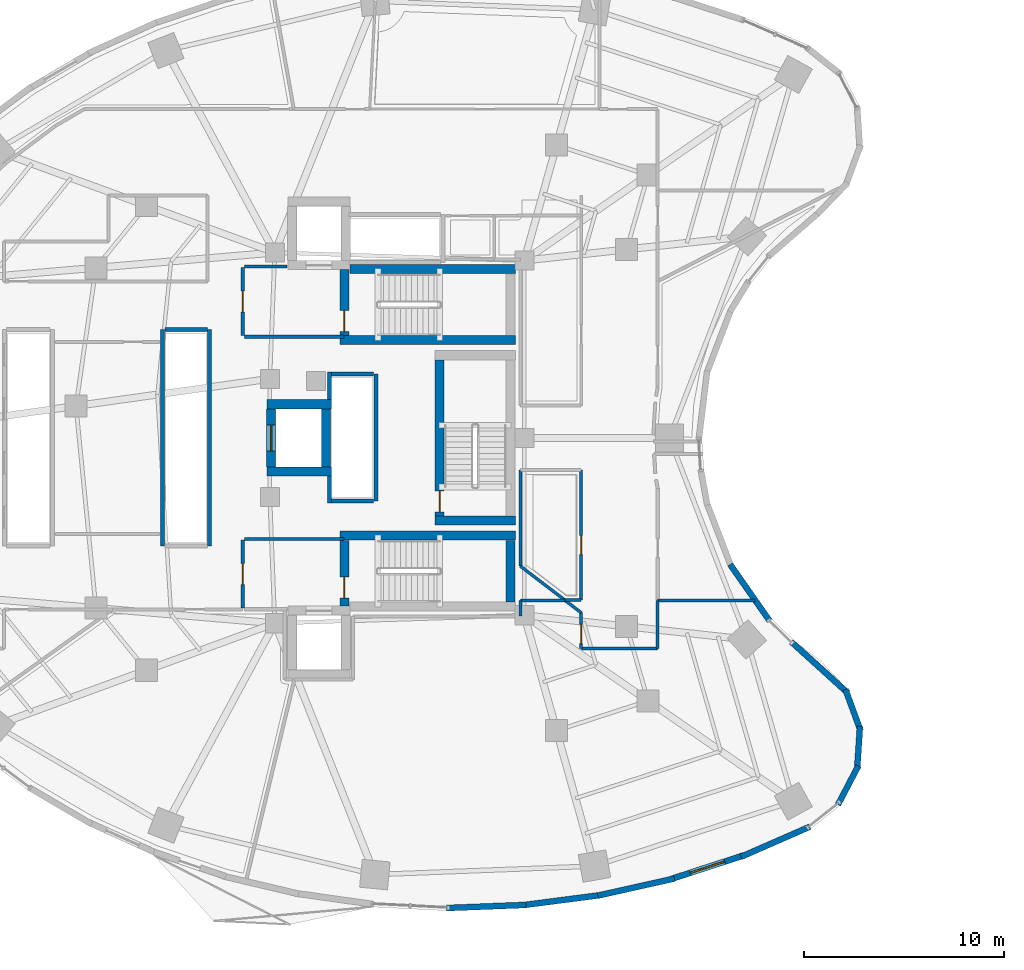
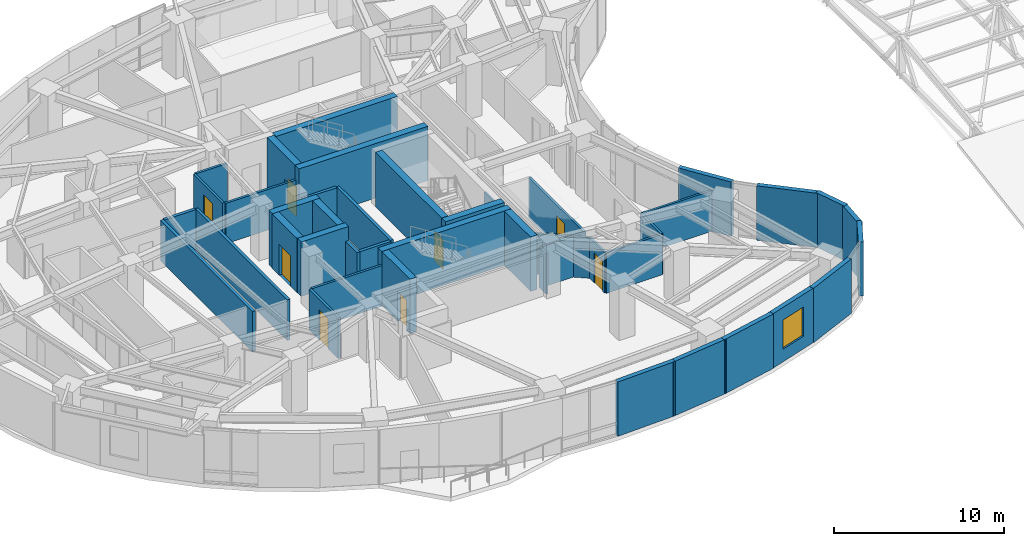
# One storey, part 12 of 17: 46 walls, 8 doors, 1 window, 9 openings.
"""IFC4 building model written with IfcOpenShell, lengths in metres."""

from ifc_helpers import new_model, si_unit, direction, frame, frame_2d, origin, place, context, subcontext, project, spatial, rectangle, extrude, material, layer, layer_set, type_object, element, fill, save


model = new_model("IFC4")

# Units and contexts
model_context = context("Model", 3, precision=1e-05, world=origin(), true_north=direction((0.0, 1.0)))
body_context = subcontext(model_context, "Body", "Model", "MODEL_VIEW")
ifc_project = project(units=[si_unit("LENGTHUNIT", "METRE"), si_unit("AREAUNIT", "SQUARE_METRE"), si_unit("VOLUMEUNIT", "CUBIC_METRE"), si_unit("PLANEANGLEUNIT", "RADIAN"), si_unit("MASSUNIT", "GRAM", prefix="KILO")], contexts=[model_context])

# Site, building, storey
site_placement = place(None, origin())
site = spatial("IfcSite", under=ifc_project, at=site_placement, CompositionType="ELEMENT")
building_placement = place(site_placement, origin())
building = spatial("IfcBuilding", under=site, at=building_placement, Name="Korentha Bioscience Tower", CompositionType="ELEMENT")
storey_placement = place(building_placement, frame((0.0, 0.0, 25.800048828125)))
storey = spatial("IfcBuildingStorey", under=building, at=storey_placement, Name="L05", CompositionType="ELEMENT", Elevation=25.800048828125)

# Wall, opening, door
ifc_material_1 = material(Name="Double-Stud Acoustic Gypsum", Category="gypsum")
ifc_layer_1 = layer(ifc_material_1, 0.14990234375, Name="Double-Stud Acoustic Gypsum")
ifc_layer_set_1 = layer_set([ifc_layer_1], Name="Double-Stud Acoustic Gypsum (IW-L150)")
wall_type_1 = type_object("IfcWallType", Name="Acoustic Laboratory Partition Wall 150", PredefinedType="PARTITIONING", material=ifc_layer_set_1)
wall_1_placement = place(storey_placement, frame((40.389892578125, 18.278076171875, 0.0), z_axis=(0.0, 0.0, 1.0), x_axis=(0.0, -1.0, 0.0)))
wall_1 = element("IfcWall", 1, at=wall_1_placement, inside=storey, type_object=wall_type_1, Name="L05 Ethics and Biosafety Briefing Room 05 Entrance Wall", PredefinedType="PARTITIONING", context=body_context, shape_type="SweptSolid", body=[
    extrude(rectangle(XDim=1.778076171875, YDim=0.14990234375, at=frame_2d((0.88916015625, 0.0))), origin(), (0.0, 0.0, 1.0), 2.909912109375),
])
opening_1_placement = place(wall_1_placement, frame((0.587890625, 0.0, 0.0)))
opening_1 = element("IfcOpeningElement", 2, at=opening_1_placement, cuts=wall_1, Name="Opening ID-10L", PredefinedType="OPENING", context=body_context, shape_type="SweptSolid", body=[
    extrude(rectangle(XDim=0.949951171875, YDim=2.14990234375, at=frame_2d((0.47509765625, 1.074951171875))), frame((0.0, 0.08984375, 0.0), z_axis=(0.0, -1.0, 0.0), x_axis=(1.0, 0.0, 0.0)), (0.0, 0.0, 1.0), 0.1796875),
])
ifc_material_2 = material(Name="Phenolic Laminate Timber Core", Category="wood")
door_type_1 = type_object("IfcDoorType", Name="Laboratory Single Leaf Door 950x2150 Left", OperationType="SINGLE_SWING_LEFT", PredefinedType="DOOR", material=ifc_material_2)
door_1_placement = place(opening_1_placement, origin())
door_1 = element("IfcDoor", 3, at=door_1_placement, inside=storey, type_object=door_type_1, Name="L05 Ethics and Biosafety Briefing Room 05 Door", OperationType="SINGLE_SWING_LEFT", OverallHeight=2.14990234375, OverallWidth=0.949951171875, PredefinedType="DOOR", context=body_context, shape_type="SweptSolid", body=[
    extrude(rectangle(XDim=0.949951171875, YDim=2.14990234375, at=frame_2d((0.47509765625, 1.074951171875))), frame((0.0, 0.02490234375, 0.0), z_axis=(0.0, -1.0, 0.0), x_axis=(1.0, 0.0, 0.0)), (0.0, 0.0, 1.0), 0.050048828125),
])
fill(opening_1, door_1)

wall_2_placement = place(storey_placement, frame((40.389892578125, 25.389892578125, 0.0), z_axis=(0.0, 0.0, 1.0), x_axis=(0.0, -1.0, 0.0)))
wall_2 = element("IfcWall", 4, at=wall_2_placement, inside=storey, type_object=wall_type_1, Name="L05 Terrace View Refreshment Lounge 06 Entrance Wall", PredefinedType="PARTITIONING", context=body_context, shape_type="SweptSolid", body=[
    extrude(rectangle(XDim=6.48779296875, YDim=0.14990234375, at=frame_2d((3.243896484375, 0.0))), origin(), (0.0, 0.0, 1.0), 2.909912109375),
])
opening_2_placement = place(wall_2_placement, frame((3.265380859375, 0.0, 0.0)))
opening_2 = element("IfcOpeningElement", 5, at=opening_2_placement, cuts=wall_2, Name="Opening ID-10R", PredefinedType="OPENING", context=body_context, shape_type="SweptSolid", body=[
    extrude(rectangle(XDim=0.949951171875, YDim=2.14990234375, at=frame_2d((0.47509765625, 1.074951171875))), frame((0.0, 0.08984375, 0.0), z_axis=(0.0, -1.0, 0.0), x_axis=(1.0, 0.0, 0.0)), (0.0, 0.0, 1.0), 0.1796875),
])
door_type_2 = type_object("IfcDoorType", Name="Laboratory Single Leaf Door 950x2150 Right", OperationType="SINGLE_SWING_RIGHT", PredefinedType="DOOR", material=ifc_material_2)
door_2_placement = place(opening_2_placement, origin())
door_2 = element("IfcDoor", 6, at=door_2_placement, inside=storey, type_object=door_type_2, Name="L05 Terrace View Refreshment Lounge 06 Door", OperationType="SINGLE_SWING_RIGHT", OverallHeight=2.14990234375, OverallWidth=0.949951171875, PredefinedType="DOOR", context=body_context, shape_type="SweptSolid", body=[
    extrude(rectangle(XDim=0.949951171875, YDim=2.14990234375, at=frame_2d((0.47509765625, 1.074951171875))), frame((0.0, 0.02490234375, 0.0), z_axis=(0.0, -1.0, 0.0), x_axis=(1.0, 0.0, 0.0)), (0.0, 0.0, 1.0), 0.050048828125),
])
fill(opening_2, door_2)

# Walls
wall_3_placement = place(storey_placement, frame((37.360107421875, 18.10009765625, 0.0), z_axis=(0.0, 0.0, 1.0), x_axis=(0.0, 1.0, 0.0)))
element("IfcWall", 7, at=wall_3_placement, inside=storey, type_object=wall_type_1, Name="L05 Interior Partition 033", PredefinedType="PARTITIONING", context=body_context, shape_type="SweptSolid", body=[
    extrude(rectangle(XDim=0.7978515625, YDim=0.14990234375, at=frame_2d((0.39892578125, 0.0))), origin(), (0.0, 0.0, 1.0), 2.909912109375),
])
wall_4_placement = place(storey_placement, frame((37.360107421875, 18.89794921875, 0.0), z_axis=(0.0, 0.0, 1.0), x_axis=(1.0, 0.0, 0.0)))
element("IfcWall", 8, at=wall_4_placement, inside=storey, type_object=wall_type_1, Name="L05 Interior Partition 034", PredefinedType="PARTITIONING", context=body_context, shape_type="SweptSolid", body=[
    extrude(rectangle(XDim=2.218017578125, YDim=0.14990234375, at=frame_2d((1.10888671875, 0.0))), origin(), (0.0, 0.0, 1.0), 2.909912109375),
])
wall_5_placement = place(storey_placement, frame((39.578369140625, 18.89794921875, 0.0), z_axis=(0.0, 0.0, 1.0), x_axis=(0.794690228638, -0.607015189684, 0.0)))
element("IfcWall", 9, at=wall_5_placement, inside=storey, type_object=wall_type_1, Name="L05 Interior Partition 035", PredefinedType="PARTITIONING", context=body_context, shape_type="SweptSolid", body=[
    extrude(rectangle(XDim=1.021240234375, YDim=0.14990234375, at=frame_2d((0.5107421875, 0.0))), origin(), (0.0, 0.0, 1.0), 2.909912109375),
])
wall_6_placement = place(storey_placement, frame((40.39990234375, 16.489990234375, 0.0), z_axis=(0.0, 0.0, 1.0), x_axis=(1.0, 0.0, 0.0)))
element("IfcWall", 10, at=wall_6_placement, inside=storey, type_object=wall_type_1, Name="L05 Interior Partition 036", PredefinedType="PARTITIONING", context=body_context, shape_type="SweptSolid", body=[
    extrude(rectangle(XDim=3.800048828125, YDim=0.14990234375, at=frame_2d((1.89990234375, 0.0))), origin(), (0.0, 0.0, 1.0), 2.909912109375),
])
wall_7_placement = place(storey_placement, frame((44.2099609375, 16.5, 0.0), z_axis=(0.0, 0.0, 1.0), x_axis=(0.0, 1.0, 0.0)))
element("IfcWall", 11, at=wall_7_placement, inside=storey, type_object=wall_type_1, Name="L05 Interior Partition 037", PredefinedType="PARTITIONING", context=body_context, shape_type="SweptSolid", body=[
    extrude(rectangle(XDim=2.39794921875, YDim=0.14990234375, at=frame_2d((1.198974609375, 0.0))), origin(), (0.0, 0.0, 1.0), 2.909912109375),
])
wall_8_placement = place(storey_placement, frame((44.2099609375, 18.89794921875, 0.0), z_axis=(0.0, 0.0, 1.0), x_axis=(1.0, 0.0, 0.0)))
element("IfcWall", 12, at=wall_8_placement, inside=storey, type_object=wall_type_1, Name="L05 Interior Partition 038", PredefinedType="PARTITIONING", context=body_context, shape_type="SweptSolid", body=[
    extrude(rectangle(XDim=4.855224609375, YDim=0.14990234375, at=frame_2d((2.427734375, 0.0))), origin(), (0.0, 0.0, 1.0), 2.909912109375),
])
wall_9_placement = place(storey_placement, frame((39.57177734375, 18.907958984375, 0.0), z_axis=(0.0, 0.0, 1.0), x_axis=(-0.794673946055, 0.607036505872, 0.0)))
element("IfcWall", 13, at=wall_9_placement, inside=storey, type_object=wall_type_1, Name="L05 Interior Partition 040", PredefinedType="PARTITIONING", context=body_context, shape_type="SweptSolid", body=[
    extrude(rectangle(XDim=2.783203125, YDim=0.14990234375, at=frame_2d((1.3916015625, 0.0))), origin(), (0.0, 0.0, 1.0), 2.909912109375),
])
wall_10_placement = place(storey_placement, frame((37.360107421875, 20.597412109375, 0.0), z_axis=(0.0, 0.0, 1.0), x_axis=(0.0, 1.0, 0.0)))
element("IfcWall", 14, at=wall_10_placement, inside=storey, type_object=wall_type_1, Name="L05 Interior Partition 041", PredefinedType="PARTITIONING", context=body_context, shape_type="SweptSolid", body=[
    extrude(rectangle(XDim=4.79248046875, YDim=0.14990234375, at=frame_2d((2.396240234375, 0.0))), origin(), (0.0, 0.0, 1.0), 2.909912109375),
])
wall_11_placement = place(storey_placement, frame((40.389892578125, 18.902099609375, 0.0), z_axis=(0.0, 0.0, 1.0), x_axis=(-1.0, 0.0, 0.0)))
element("IfcWall", 15, at=wall_11_placement, inside=storey, type_object=wall_type_1, Name="L05 Interior Partition 043", PredefinedType="PARTITIONING", context=body_context, shape_type="SweptSolid", body=[
    extrude(rectangle(XDim=0.80029296875, YDim=0.14990234375, at=frame_2d((0.400146484375, 0.0))), origin(), (0.0, 0.0, 1.0), 2.909912109375),
])

# Wall, opening, door
ifc_material_3 = material(Name="Gypsum-Clad Steel Stud", Category="steel")
ifc_layer_2 = layer(ifc_material_3, 0.159912109375, Name="Gypsum-Clad Steel Stud")
ifc_layer_set_2 = layer_set([ifc_layer_2], Name="Gypsum-Clad Steel Stud (IW-C160)")
wall_type_2 = type_object("IfcWallType", Name="Fire-Rated Corridor Partition Wall 160", PredefinedType="PARTITIONING", material=ifc_layer_set_2)
wall_12_placement = place(storey_placement, frame((23.5, 32.10009765625, 0.0), z_axis=(0.0, 0.0, 1.0), x_axis=(0.0, 1.0, 0.0)))
wall_12 = element("IfcWall", 16, at=wall_12_placement, inside=storey, type_object=wall_type_2, Name="L05 FFLN-CW Rated Enclosure Wall", PredefinedType="PARTITIONING", context=body_context, shape_type="SweptSolid", body=[
    extrude(rectangle(XDim=3.39990234375, YDim=0.159912109375, at=frame_2d((1.699951171875, 0.0))), origin(), (0.0, 0.0, 1.0), 2.909912109375),
])
opening_3_placement = place(wall_12_placement, frame((1.175048828125, 0.0, 0.0)))
opening_3 = element("IfcOpeningElement", 17, at=opening_3_placement, cuts=wall_12, Name="Opening FD-90R", PredefinedType="OPENING", context=body_context, shape_type="SweptSolid", body=[
    extrude(rectangle(XDim=1.050048828125, YDim=2.14990234375, at=frame_2d((0.52490234375, 1.074951171875))), frame((0.0, 0.0947265625, 0.0), z_axis=(0.0, -1.0, 0.0), x_axis=(1.0, 0.0, 0.0)), (0.0, 0.0, 1.0), 0.189697265625),
])
ifc_material_4 = material(Name="Powder-Coated Fire-Rated Steel", Category="steel")
door_type_3 = type_object("IfcDoorType", Name="Stairwell Fire Exit Door 1050x2150 Right", OperationType="SINGLE_SWING_RIGHT", PredefinedType="DOOR", material=ifc_material_4)
door_3_placement = place(opening_3_placement, origin())
door_3 = element("IfcDoor", 18, at=door_3_placement, inside=storey, type_object=door_type_3, Name="L05 North Firefighting Lobby Door", OperationType="SINGLE_SWING_RIGHT", OverallHeight=2.14990234375, OverallWidth=1.050048828125, PredefinedType="DOOR", context=body_context, shape_type="SweptSolid", body=[
    extrude(rectangle(XDim=1.050048828125, YDim=2.14990234375, at=frame_2d((0.52490234375, 1.074951171875))), frame((0.0, 0.02490234375, 0.0), z_axis=(0.0, -1.0, 0.0), x_axis=(1.0, 0.0, 0.0)), (0.0, 0.0, 1.0), 0.050048828125),
])
fill(opening_3, door_3)

wall_13_placement = place(storey_placement, frame((23.5, 18.5, 0.0), z_axis=(0.0, 0.0, 1.0), x_axis=(0.0, 1.0, 0.0)))
wall_13 = element("IfcWall", 19, at=wall_13_placement, inside=storey, type_object=wall_type_2, Name="L05 FFLS-CW Rated Enclosure Wall", PredefinedType="PARTITIONING", context=body_context, shape_type="SweptSolid", body=[
    extrude(rectangle(XDim=3.39990234375, YDim=0.159912109375, at=frame_2d((1.699951171875, 0.0))), origin(), (0.0, 0.0, 1.0), 2.909912109375),
])
opening_4_placement = place(wall_13_placement, frame((1.175048828125, 0.0, 0.0)))
opening_4 = element("IfcOpeningElement", 20, at=opening_4_placement, cuts=wall_13, Name="Opening FD-90R", PredefinedType="OPENING", context=body_context, shape_type="SweptSolid", body=[
    extrude(rectangle(XDim=1.050048828125, YDim=2.14990234375, at=frame_2d((0.52490234375, 1.074951171875))), frame((0.0, 0.0947265625, 0.0), z_axis=(0.0, -1.0, 0.0), x_axis=(1.0, 0.0, 0.0)), (0.0, 0.0, 1.0), 0.189697265625),
])
door_4_placement = place(opening_4_placement, origin())
door_4 = element("IfcDoor", 21, at=door_4_placement, inside=storey, type_object=door_type_3, Name="L05 South Firefighting Lobby Door", OperationType="SINGLE_SWING_RIGHT", OverallHeight=2.14990234375, OverallWidth=1.050048828125, PredefinedType="DOOR", context=body_context, shape_type="SweptSolid", body=[
    extrude(rectangle(XDim=1.050048828125, YDim=2.14990234375, at=frame_2d((0.52490234375, 1.074951171875))), frame((0.0, 0.02490234375, 0.0), z_axis=(0.0, -1.0, 0.0), x_axis=(1.0, 0.0, 0.0)), (0.0, 0.0, 1.0), 0.050048828125),
])
fill(opening_4, door_4)

# Walls
wall_14_placement = place(storey_placement, frame((23.580078125, 32.050048828125, 0.0), z_axis=(0.0, 0.0, 1.0), x_axis=(1.0, 0.0, 0.0)))
element("IfcWall", 22, at=wall_14_placement, inside=storey, type_object=wall_type_2, Name="L05 Firefighting Lobby Return Wall FFLN-S", PredefinedType="PARTITIONING", context=body_context, shape_type="SweptSolid", body=[
    extrude(rectangle(XDim=4.969970703125, YDim=0.159912109375, at=frame_2d((2.48486328125, 0.0))), origin(), (0.0, 0.0, 1.0), 2.909912109375),
])
wall_15_placement = place(storey_placement, frame((23.580078125, 35.550048828125, 0.0), z_axis=(0.0, 0.0, 1.0), x_axis=(1.0, 0.0, 0.0)))
element("IfcWall", 23, at=wall_15_placement, inside=storey, type_object=wall_type_2, Name="L05 Firefighting Lobby Return Wall FFLN-N", PredefinedType="PARTITIONING", context=body_context, shape_type="SweptSolid", body=[
    extrude(rectangle(XDim=2.119873046875, YDim=0.159912109375, at=frame_2d((1.06005859375, 0.0))), origin(), (0.0, 0.0, 1.0), 2.909912109375),
])
wall_16_placement = place(storey_placement, frame((23.580078125, 21.949951171875, 0.0), z_axis=(0.0, 0.0, 1.0), x_axis=(1.0, 0.0, 0.0)))
element("IfcWall", 24, at=wall_16_placement, inside=storey, type_object=wall_type_2, Name="L05 Firefighting Lobby Return Wall FFLS-N", PredefinedType="PARTITIONING", context=body_context, shape_type="SweptSolid", body=[
    extrude(rectangle(XDim=4.969970703125, YDim=0.159912109375, at=frame_2d((2.48486328125, 0.0))), origin(), (0.0, 0.0, 1.0), 2.909912109375),
])

# Wall, opening, window
ifc_material_5 = material(Name="Honed Limestone Precast Concrete C40", Category="masonry")
ifc_layer_3 = layer(ifc_material_5, 0.300048828125, Name="Honed Limestone Precast Concrete C40")
ifc_layer_set_3 = layer_set([ifc_layer_3], Name="Honed Limestone Precast Concrete C40 (EW-ST300)")
wall_type_3 = type_object("IfcWallType", Name="Honed Limestone Cavity Spandrel Wall 300", PredefinedType="STANDARD", material=ifc_layer_set_3)
wall_17_placement = place(storey_placement, frame((44.885498046875, 4.98828125, 0.0), z_axis=(0.0, 0.0, 1.0), x_axis=(0.950958033078, 0.30931993037, 0.0)))
wall_17 = element("IfcWall", 25, at=wall_17_placement, inside=storey, type_object=wall_type_3, Name="L05 Honed Limestone Spandrel Wall 35", PredefinedType="STANDARD", context=body_context, shape_type="SweptSolid", body=[
    extrude(rectangle(XDim=3.80029296875, YDim=0.300048828125, at=frame_2d((1.900146484375, 0.0))), origin(), (0.0, 0.0, 1.0), 3.89990234375),
])
opening_5_placement = place(wall_17_placement, frame((1.0, 0.0, 0.89990234375)))
opening_5 = element("IfcOpeningElement", 26, at=opening_5_placement, cuts=wall_17, Name="Opening WN-01", PredefinedType="OPENING", context=body_context, shape_type="SweptSolid", body=[
    extrude(rectangle(XDim=1.800048828125, YDim=2.10009765625, at=frame_2d((0.89990234375, 1.050048828125))), frame((0.0, 0.1650390625, 0.0), z_axis=(0.0, -1.0, 0.0), x_axis=(1.0, 0.0, 0.0)), (0.0, 0.0, 1.0), 0.329833984375),
])
ifc_material_6 = material(Name="Thermally Broken Aluminium Triple Glazing", Category="aluminium")
window_type = type_object("IfcWindowType", Name="Triple-Glazed Fixed Bioscience Window 1800x2100", PartitioningType="SINGLE_PANEL", PredefinedType="WINDOW", material=ifc_material_6)
window_placement = place(opening_5_placement, origin())
window = element("IfcWindow", 27, at=window_placement, inside=storey, type_object=window_type, Name="L05 Facade Window 35", OverallHeight=2.10009765625, OverallWidth=1.800048828125, PartitioningType="SINGLE_PANEL", PredefinedType="WINDOW", context=body_context, shape_type="SweptSolid", body=[
    extrude(rectangle(XDim=1.800048828125, YDim=2.10009765625, at=frame_2d((0.89990234375, 1.050048828125))), frame((0.0, 0.030029296875, 0.0), z_axis=(0.0, -1.0, 0.0), x_axis=(1.0, 0.0, 0.0)), (0.0, 0.0, 1.0), 0.06005859375),
])
fill(opening_5, window)

# Walls
wall_18_placement = place(storey_placement, frame((33.66796875, 3.53759765625, 0.0), z_axis=(0.0, 0.0, 1.0), x_axis=(0.999245411623, 0.038840794937, 0.0)))
element("IfcWall", 28, at=wall_18_placement, inside=storey, type_object=wall_type_3, Name="L05 Limestone Perimeter Closure Wall 32", PredefinedType="STANDARD", context=body_context, shape_type="SweptSolid", body=[
    extrude(rectangle(XDim=3.978759765625, YDim=0.300048828125, at=frame_2d((1.9892578125, 0.0))), origin(), (0.0, 0.0, 1.0), 3.89990234375),
])
wall_19_placement = place(storey_placement, frame((37.471923828125, 3.677734375, 0.0), z_axis=(0.0, 0.0, 1.0), x_axis=(0.991734095036, 0.128310111617, 0.0)))
element("IfcWall", 29, at=wall_19_placement, inside=storey, type_object=wall_type_3, Name="L05 Limestone Perimeter Closure Wall 33", PredefinedType="STANDARD", context=body_context, shape_type="SweptSolid", body=[
    extrude(rectangle(XDim=3.955810546875, YDim=0.300048828125, at=frame_2d((1.97802734375, 0.0))), origin(), (0.0, 0.0, 1.0), 3.89990234375),
])
wall_20_placement = place(storey_placement, frame((41.22509765625, 4.1552734375, 0.0), z_axis=(0.0, 0.0, 1.0), x_axis=(0.975868573345, 0.218358713032, 0.0)))
element("IfcWall", 30, at=wall_20_placement, inside=storey, type_object=wall_type_3, Name="L05 Limestone Perimeter Closure Wall 34", PredefinedType="STANDARD", context=body_context, shape_type="SweptSolid", body=[
    extrude(rectangle(XDim=3.90869140625, YDim=0.300048828125, at=frame_2d((1.954345703125, 0.0))), origin(), (0.0, 0.0, 1.0), 3.89990234375),
])
wall_21_placement = place(storey_placement, frame((48.3623046875, 6.089111328125, 0.0), z_axis=(0.0, 0.0, 1.0), x_axis=(0.915945168042, 0.401303437738, 0.0)))
element("IfcWall", 31, at=wall_21_placement, inside=storey, type_object=wall_type_3, Name="L05 Limestone Perimeter Closure Wall 36", PredefinedType="STANDARD", context=body_context, shape_type="SweptSolid", body=[
    extrude(rectangle(XDim=3.75244140625, YDim=0.300048828125, at=frame_2d((1.876220703125, 0.0))), origin(), (0.0, 0.0, 1.0), 3.89990234375),
])
wall_22_placement = place(storey_placement, frame((53.20751953125, 8.691650390625, 0.0), z_axis=(0.0, 0.0, 1.0), x_axis=(0.463035066673, 0.886339961319, 0.0)))
element("IfcWall", 32, at=wall_22_placement, inside=storey, type_object=wall_type_3, Name="L05 Limestone Perimeter Closure Wall 38", PredefinedType="STANDARD", context=body_context, shape_type="SweptSolid", body=[
    extrude(rectangle(XDim=2.1875, YDim=0.300048828125, at=frame_2d((1.09375, 0.0))), origin(), (0.0, 0.0, 1.0), 3.89990234375),
])
for number, where, z_axis, x_axis, name in (
    (33, (54.16259765625, 10.42431640625, 0.0), (0.0, 0.0, 1.0), (0.064615302336, 0.99791024782, 0.0), "L05 Limestone Perimeter Closure Wall 39"),
    (34, (54.334716796875, 12.39501953125, 0.0), (0.0, 0.0, 1.0), (-0.344939866054, 0.938624785954, 0.0), "L05 Limestone Perimeter Closure Wall 40"),
):
    element("IfcWall", number, at=place(storey_placement, frame(where, z_axis=z_axis, x_axis=x_axis)), inside=storey, type_object=wall_type_3, Name=name, PredefinedType="STANDARD", context=body_context, shape_type="SweptSolid", body=[
        extrude(rectangle(XDim=2.187744140625, YDim=0.300048828125, at=frame_2d((1.09375, 0.0))), origin(), (0.0, 0.0, 1.0), 3.89990234375),
    ])
wall_23_placement = place(storey_placement, frame((53.704345703125, 14.26416015625, 0.0), z_axis=(0.0, 0.0, 1.0), x_axis=(-0.74117794387, 0.671308614216, 0.0)))
element("IfcWall", 35, at=wall_23_placement, inside=storey, type_object=wall_type_3, Name="L05 Limestone Perimeter Closure Wall 41", PredefinedType="STANDARD", context=body_context, shape_type="SweptSolid", body=[
    extrude(rectangle(XDim=3.815673828125, YDim=0.300048828125, at=frame_2d((1.90771484375, 0.0))), origin(), (0.0, 0.0, 1.0), 3.89990234375),
])
wall_24_placement = place(storey_placement, frame((49.79248046875, 17.8779296875, 0.0), z_axis=(0.0, 0.0, 1.0), x_axis=(-0.573576992806, 0.819151654655, 0.0)))
element("IfcWall", 36, at=wall_24_placement, inside=storey, type_object=wall_type_3, Name="L05 Limestone Perimeter Closure Wall 44", PredefinedType="STANDARD", context=body_context, shape_type="SweptSolid", body=[
    extrude(rectangle(XDim=3.429931640625, YDim=0.300048828125, at=frame_2d((1.71484375, 0.0))), origin(), (0.0, 0.0, 1.0), 3.89990234375),
])
ifc_material_7 = material(Name="Autoclaved Aerated Concrete Block C25", Category="concrete")
ifc_layer_4 = layer(ifc_material_7, 0.199951171875, Name="Autoclaved Aerated Concrete Block C25")
ifc_layer_set_4 = layer_set([ifc_layer_4], Name="Autoclaved Aerated Concrete Block C25 (IW-S200)")
wall_type_4 = type_object("IfcWallType", Name="Lift and Riser Shaft Enclosure Wall 200", PredefinedType="PARTITIONING", material=ifc_layer_set_4)
for number, where, z_axis, x_axis, name in (
    (37, (19.5, 21.60009765625, 0.0), (0.0, 0.0, 1.0), (0.0, 1.0, 0.0), "L05 Lift Bank MID Shaft Wall -X"),
    (38, (21.85009765625, 21.60009765625, 0.0), (0.0, 0.0, 1.0), (0.0, 1.0, 0.0), "L05 Lift Bank MID Shaft Wall +X"),
):
    element("IfcWall", number, at=place(storey_placement, frame(where, z_axis=z_axis, x_axis=x_axis)), inside=storey, type_object=wall_type_4, Name=name, PredefinedType="PARTITIONING", context=body_context, shape_type="SweptSolid", body=[
        extrude(rectangle(XDim=10.7998046875, YDim=0.199951171875, at=frame_2d((5.39990234375, 0.0))), origin(), (0.0, 0.0, 1.0), 2.909912109375),
    ])
wall_25_placement = place(storey_placement, frame((19.6201171875, 32.39990234375, 0.0), z_axis=(0.0, 0.0, 1.0), x_axis=(1.0, 0.0, 0.0)))
element("IfcWall", 39, at=wall_25_placement, inside=storey, type_object=wall_type_4, Name="L05 Lift Bank MID Shaft Wall +Y", PredefinedType="PARTITIONING", context=body_context, shape_type="SweptSolid", body=[
    extrude(rectangle(XDim=2.10986328125, YDim=0.199951171875, at=frame_2d((1.054931640625, 0.0))), origin(), (0.0, 0.0, 1.0), 2.909912109375),
])
wall_26_placement = place(storey_placement, frame((27.830078125, 23.75, 0.0), z_axis=(0.0, 0.0, 1.0), x_axis=(0.0, 1.0, 0.0)))
element("IfcWall", 40, at=wall_26_placement, inside=storey, type_object=wall_type_4, Name="L05 Lift Bank HIGH Shaft Wall -XS", PredefinedType="PARTITIONING", context=body_context, shape_type="SweptSolid", body=[
    extrude(rectangle(XDim=1.341064453125, YDim=0.199951171875, at=frame_2d((0.67041015625, 0.0))), origin(), (0.0, 0.0, 1.0), 2.909912109375),
])
wall_27_placement = place(storey_placement, frame((27.830078125, 28.908935546875, 0.0), z_axis=(0.0, 0.0, 1.0), x_axis=(0.0, 1.0, 0.0)))
element("IfcWall", 41, at=wall_27_placement, inside=storey, type_object=wall_type_4, Name="L05 Lift Bank HIGH Shaft Wall -XN", PredefinedType="PARTITIONING", context=body_context, shape_type="SweptSolid", body=[
    extrude(rectangle(XDim=1.39111328125, YDim=0.199951171875, at=frame_2d((0.695556640625, 0.0))), origin(), (0.0, 0.0, 1.0), 2.909912109375),
])
wall_28_placement = place(storey_placement, frame((30.14990234375, 23.85009765625, 0.0), z_axis=(0.0, 0.0, 1.0), x_axis=(0.0, 1.0, 0.0)))
element("IfcWall", 42, at=wall_28_placement, inside=storey, type_object=wall_type_4, Name="L05 Lift Bank HIGH Shaft Wall +X", PredefinedType="PARTITIONING", context=body_context, shape_type="SweptSolid", body=[
    extrude(rectangle(XDim=6.349853515625, YDim=0.199951171875, at=frame_2d((3.1748046875, 0.0))), origin(), (0.0, 0.0, 1.0), 2.909912109375),
])
for number, where, z_axis, x_axis, name in (
    (43, (27.93408203125, 23.85009765625, 0.0), (0.0, 0.0, 1.0), (1.0, 0.0, 0.0), "L05 Lift Bank HIGH Shaft Wall -Y"),
    (44, (27.93408203125, 30.199951171875, 0.0), (0.0, 0.0, 1.0), (1.0, 0.0, 0.0), "L05 Lift Bank HIGH Shaft Wall +Y"),
):
    element("IfcWall", number, at=place(storey_placement, frame(where, z_axis=z_axis, x_axis=x_axis)), inside=storey, type_object=wall_type_4, Name=name, PredefinedType="PARTITIONING", context=body_context, shape_type="SweptSolid", body=[
        extrude(rectangle(XDim=2.095947265625, YDim=0.199951171875, at=frame_2d((1.0478515625, 0.0))), origin(), (0.0, 0.0, 1.0), 2.909912109375),
    ])
ifc_material_8 = material(Name="Concrete C80", Category="concrete")
ifc_layer_5 = layer(ifc_material_8, 0.449951171875, Name="Concrete C80")
ifc_layer_set_5 = layer_set([ifc_layer_5], Name="Concrete C80 (CW-C80)")
wall_type_5 = type_object("IfcWallType", Name="Lower Core Shear Wall 450", PredefinedType="SHEAR", material=ifc_layer_set_5)
wall_29_placement = place(storey_placement, frame((28.85205078125, 35.425048828125, 0.0), z_axis=(0.0, 0.0, 1.0), x_axis=(1.0, 0.0, 0.0)))
element("IfcWall", 45, at=wall_29_placement, inside=storey, type_object=wall_type_5, Name="L05 Core Shear Wall ST1-N", PredefinedType="SHEAR", context=body_context, shape_type="SweptSolid", body=[
    extrude(rectangle(XDim=8.248046875, YDim=0.449951171875, at=frame_2d((4.1240234375, 0.0))), origin(), (0.0, 0.0, 1.0), 3.89990234375),
])
wall_30_placement = place(storey_placement, frame((28.35009765625, 31.875, 0.0), z_axis=(0.0, 0.0, 1.0), x_axis=(1.0, 0.0, 0.0)))
element("IfcWall", 46, at=wall_30_placement, inside=storey, type_object=wall_type_5, Name="L05 Core Shear Wall ST1-S", PredefinedType="SHEAR", context=body_context, shape_type="SweptSolid", body=[
    extrude(rectangle(XDim=8.75, YDim=0.449951171875, at=frame_2d((4.375, 0.0))), origin(), (0.0, 0.0, 1.0), 3.89990234375),
])

# Wall, opening, door
wall_31_placement = place(storey_placement, frame((28.574951171875, 32.110107421875, 0.0), z_axis=(0.0, 0.0, 1.0), x_axis=(0.0, 1.0, 0.0)))
wall_31 = element("IfcWall", 47, at=wall_31_placement, inside=storey, type_object=wall_type_5, Name="L05 Core Shear Wall ST1-W", PredefinedType="SHEAR", context=body_context, shape_type="SweptSolid", body=[
    extrude(rectangle(XDim=3.282958984375, YDim=0.449951171875, at=frame_2d((1.6416015625, 0.0))), origin(), (0.0, 0.0, 1.0), 3.89990234375),
])
opening_6_placement = place(wall_31_placement, frame((0.199951171875, 0.0, 0.0)))
opening_6 = element("IfcOpeningElement", 48, at=opening_6_placement, cuts=wall_31, Name="Opening FD-90R", PredefinedType="OPENING", context=body_context, shape_type="SweptSolid", body=[
    extrude(rectangle(XDim=1.050048828125, YDim=2.14990234375, at=frame_2d((0.52490234375, 1.074951171875))), frame((0.0, 0.23974609375, 0.0), z_axis=(0.0, -1.0, 0.0), x_axis=(1.0, 0.0, 0.0)), (0.0, 0.0, 1.0), 0.479736328125),
])
door_5_placement = place(opening_6_placement, origin())
door_5 = element("IfcDoor", 49, at=door_5_placement, inside=storey, type_object=door_type_3, Name="L05 ST-1 Fire Exit Stair Door", OperationType="SINGLE_SWING_RIGHT", OverallHeight=2.14990234375, OverallWidth=1.050048828125, PredefinedType="DOOR", context=body_context, shape_type="SweptSolid", body=[
    extrude(rectangle(XDim=1.050048828125, YDim=2.14990234375, at=frame_2d((0.52490234375, 1.074951171875))), frame((0.0, 0.02490234375, 0.0), z_axis=(0.0, -1.0, 0.0), x_axis=(1.0, 0.0, 0.0)), (0.0, 0.0, 1.0), 0.050048828125),
])
fill(opening_6, door_5)

# Walls
wall_32_placement = place(storey_placement, frame((28.35009765625, 22.125, 0.0), z_axis=(0.0, 0.0, 1.0), x_axis=(1.0, 0.0, 0.0)))
element("IfcWall", 50, at=wall_32_placement, inside=storey, type_object=wall_type_5, Name="L05 Core Shear Wall ST2-N", PredefinedType="SHEAR", context=body_context, shape_type="SweptSolid", body=[
    extrude(rectangle(XDim=8.75, YDim=0.449951171875, at=frame_2d((4.375, 0.0))), origin(), (0.0, 0.0, 1.0), 3.89990234375),
])
wall_33_placement = place(storey_placement, frame((36.875, 18.81005859375, 0.0), z_axis=(0.0, 0.0, 1.0), x_axis=(0.0, 1.0, 0.0)))
element("IfcWall", 51, at=wall_33_placement, inside=storey, type_object=wall_type_5, Name="L05 Core Shear Wall ST2-E", PredefinedType="SHEAR", context=body_context, shape_type="SweptSolid", body=[
    extrude(rectangle(XDim=3.079833984375, YDim=0.449951171875, at=frame_2d((1.5400390625, 0.0))), origin(), (0.0, 0.0, 1.0), 3.89990234375),
])

# Wall, opening, door
wall_34_placement = place(storey_placement, frame((28.574951171875, 18.60693359375, 0.0), z_axis=(0.0, 0.0, 1.0), x_axis=(0.0, 1.0, 0.0)))
wall_34 = element("IfcWall", 52, at=wall_34_placement, inside=storey, type_object=wall_type_5, Name="L05 Core Shear Wall ST2-W", PredefinedType="SHEAR", context=body_context, shape_type="SweptSolid", body=[
    extrude(rectangle(XDim=3.282958984375, YDim=0.449951171875, at=frame_2d((1.6416015625, 0.0))), origin(), (0.0, 0.0, 1.0), 3.89990234375),
])
opening_7_placement = place(wall_34_placement, frame((0.403076171875, 0.0, 0.0)))
opening_7 = element("IfcOpeningElement", 53, at=opening_7_placement, cuts=wall_34, Name="Opening FD-90R", PredefinedType="OPENING", context=body_context, shape_type="SweptSolid", body=[
    extrude(rectangle(XDim=1.050048828125, YDim=2.14990234375, at=frame_2d((0.52490234375, 1.074951171875))), frame((0.0, 0.23974609375, 0.0), z_axis=(0.0, -1.0, 0.0), x_axis=(1.0, 0.0, 0.0)), (0.0, 0.0, 1.0), 0.479736328125),
])
door_6_placement = place(opening_7_placement, origin())
door_6 = element("IfcDoor", 54, at=door_6_placement, inside=storey, type_object=door_type_3, Name="L05 ST-2 Fire Exit Stair Door", OperationType="SINGLE_SWING_RIGHT", OverallHeight=2.14990234375, OverallWidth=1.050048828125, PredefinedType="DOOR", context=body_context, shape_type="SweptSolid", body=[
    extrude(rectangle(XDim=1.050048828125, YDim=2.14990234375, at=frame_2d((0.52490234375, 1.074951171875))), frame((0.0, 0.02490234375, 0.0), z_axis=(0.0, -1.0, 0.0), x_axis=(1.0, 0.0, 0.0)), (0.0, 0.0, 1.0), 0.050048828125),
])
fill(opening_7, door_6)

# Wall
wall_35_placement = place(storey_placement, frame((33.10009765625, 22.875, 0.0), z_axis=(0.0, 0.0, 1.0), x_axis=(1.0, 0.0, 0.0)))
element("IfcWall", 55, at=wall_35_placement, inside=storey, type_object=wall_type_5, Name="L05 Core Shear Wall ST3-S", PredefinedType="SHEAR", context=body_context, shape_type="SweptSolid", body=[
    extrude(rectangle(XDim=4.0, YDim=0.449951171875, at=frame_2d((2.0, 0.0))), origin(), (0.0, 0.0, 1.0), 3.89990234375),
])

# Wall, opening, door
wall_36_placement = place(storey_placement, frame((33.324951171875, 23.110107421875, 0.0), z_axis=(0.0, 0.0, 1.0), x_axis=(0.0, 1.0, 0.0)))
wall_36 = element("IfcWall", 56, at=wall_36_placement, inside=storey, type_object=wall_type_5, Name="L05 Core Shear Wall ST3-W", PredefinedType="SHEAR", context=body_context, shape_type="SweptSolid", body=[
    extrude(rectangle(XDim=7.77978515625, YDim=0.449951171875, at=frame_2d((3.889892578125, 0.0))), origin(), (0.0, 0.0, 1.0), 3.89990234375),
])
opening_8_placement = place(wall_36_placement, frame((0.199951171875, 0.0, 0.0)))
opening_8 = element("IfcOpeningElement", 57, at=opening_8_placement, cuts=wall_36, Name="Opening FD-90R", PredefinedType="OPENING", context=body_context, shape_type="SweptSolid", body=[
    extrude(rectangle(XDim=1.050048828125, YDim=2.14990234375, at=frame_2d((0.52490234375, 1.074951171875))), frame((0.0, 0.23974609375, 0.0), z_axis=(0.0, -1.0, 0.0), x_axis=(1.0, 0.0, 0.0)), (0.0, 0.0, 1.0), 0.479736328125),
])
door_7_placement = place(opening_8_placement, origin())
door_7 = element("IfcDoor", 58, at=door_7_placement, inside=storey, type_object=door_type_3, Name="L05 ST-3 Fire Exit Stair Door", OperationType="SINGLE_SWING_RIGHT", OverallHeight=2.14990234375, OverallWidth=1.050048828125, PredefinedType="DOOR", context=body_context, shape_type="SweptSolid", body=[
    extrude(rectangle(XDim=1.050048828125, YDim=2.14990234375, at=frame_2d((0.52490234375, 1.074951171875))), frame((0.0, 0.02490234375, 0.0), z_axis=(0.0, -1.0, 0.0), x_axis=(1.0, 0.0, 0.0)), (0.0, 0.0, 1.0), 0.050048828125),
])
fill(opening_8, door_7)

# Walls
for number, where, z_axis, x_axis, name in (
    (59, (24.719970703125, 28.679931640625, 0.0), (0.0, 0.0, 1.0), (1.0, 0.0, 0.0), "L05 Core Shear Wall SVL1-N"),
    (60, (24.719970703125, 25.320068359375, 0.0), (0.0, 0.0, 1.0), (1.0, 0.0, 0.0), "L05 Core Shear Wall SVL1-S"),
):
    element("IfcWall", number, at=place(storey_placement, frame(where, z_axis=z_axis, x_axis=x_axis)), inside=storey, type_object=wall_type_5, Name=name, PredefinedType="SHEAR", context=body_context, shape_type="SweptSolid", body=[
        extrude(rectangle(XDim=3.2099609375, YDim=0.449951171875, at=frame_2d((1.60498046875, 0.0))), origin(), (0.0, 0.0, 1.0), 3.89990234375),
    ])

# Wall, opening, door
wall_37_placement = place(storey_placement, frame((24.919921875, 25.547119140625, 0.0), z_axis=(0.0, 0.0, 1.0), x_axis=(0.0, 1.0, 0.0)))
wall_37 = element("IfcWall", 61, at=wall_37_placement, inside=storey, type_object=wall_type_5, Name="L05 Core Shear Wall SVL1-W", PredefinedType="SHEAR", context=body_context, shape_type="SweptSolid", body=[
    extrude(rectangle(XDim=2.90576171875, YDim=0.449951171875, at=frame_2d((1.452880859375, 0.0))), origin(), (0.0, 0.0, 1.0), 3.89990234375),
])
opening_9_placement = place(wall_37_placement, frame((0.7900390625, 0.0, 0.0)))
opening_9 = element("IfcOpeningElement", 62, at=opening_9_placement, cuts=wall_37, Name="Opening LD-13", PredefinedType="OPENING", context=body_context, shape_type="SweptSolid", body=[
    extrude(rectangle(XDim=1.300048828125, YDim=2.199951171875, at=frame_2d((0.64990234375, 1.10009765625))), frame((0.0, 0.23974609375, 0.0), z_axis=(0.0, -1.0, 0.0), x_axis=(1.0, 0.0, 0.0)), (0.0, 0.0, 1.0), 0.479736328125),
])
ifc_material_9 = material(Name="Brushed Stainless Steel 316", Category="steel")
door_type_4 = type_object("IfcDoorType", Name="Service & Firefighting Lift Landing Door 1300x2300", OperationType="DOUBLE_DOOR_SLIDING", PredefinedType="DOOR", material=ifc_material_9)
door_8_placement = place(opening_9_placement, origin())
door_8 = element("IfcDoor", 63, at=door_8_placement, inside=storey, type_object=door_type_4, Name="L05 SVL-1 Sliding Lift Landing Door", OperationType="DOUBLE_DOOR_SLIDING", OverallHeight=2.199951171875, OverallWidth=1.300048828125, PredefinedType="DOOR", context=body_context, shape_type="SweptSolid", body=[
    extrude(rectangle(XDim=1.300048828125, YDim=2.199951171875, at=frame_2d((0.64990234375, 1.10009765625))), frame((0.0, 0.02490234375, 0.0), z_axis=(0.0, -1.0, 0.0), x_axis=(1.0, 0.0, 0.0)), (0.0, 0.0, 1.0), 0.050048828125),
])
fill(opening_9, door_8)

# Wall
wall_38_placement = place(storey_placement, frame((27.64990234375, 25.547119140625, 0.0), z_axis=(0.0, 0.0, 1.0), x_axis=(0.0, 1.0, 0.0)))
element("IfcWall", 64, at=wall_38_placement, inside=storey, type_object=wall_type_5, Name="L05 Core Shear Wall SVL1-E", PredefinedType="SHEAR", context=body_context, shape_type="SweptSolid", body=[
    extrude(rectangle(XDim=2.90576171875, YDim=0.449951171875, at=frame_2d((1.452880859375, 0.0))), origin(), (0.0, 0.0, 1.0), 3.89990234375),
])

save(model, "model.ifc")
